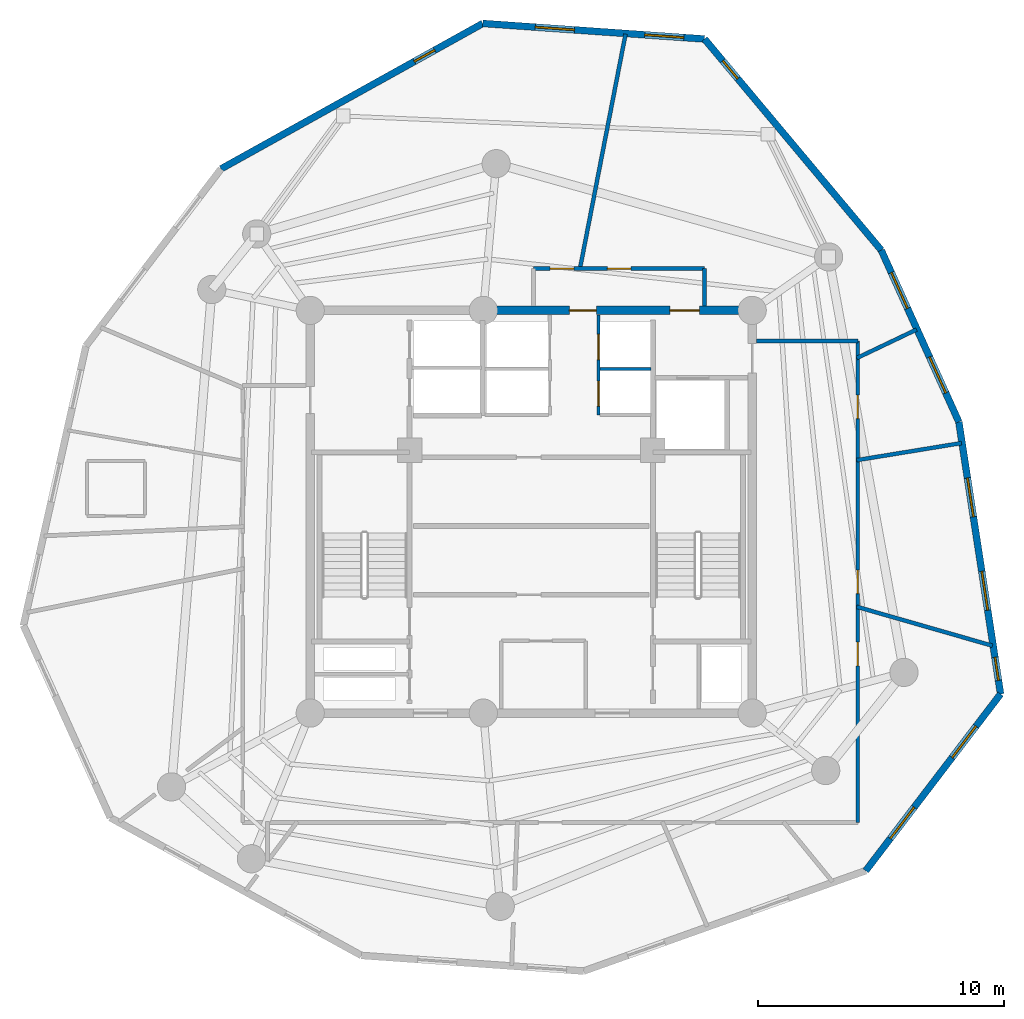
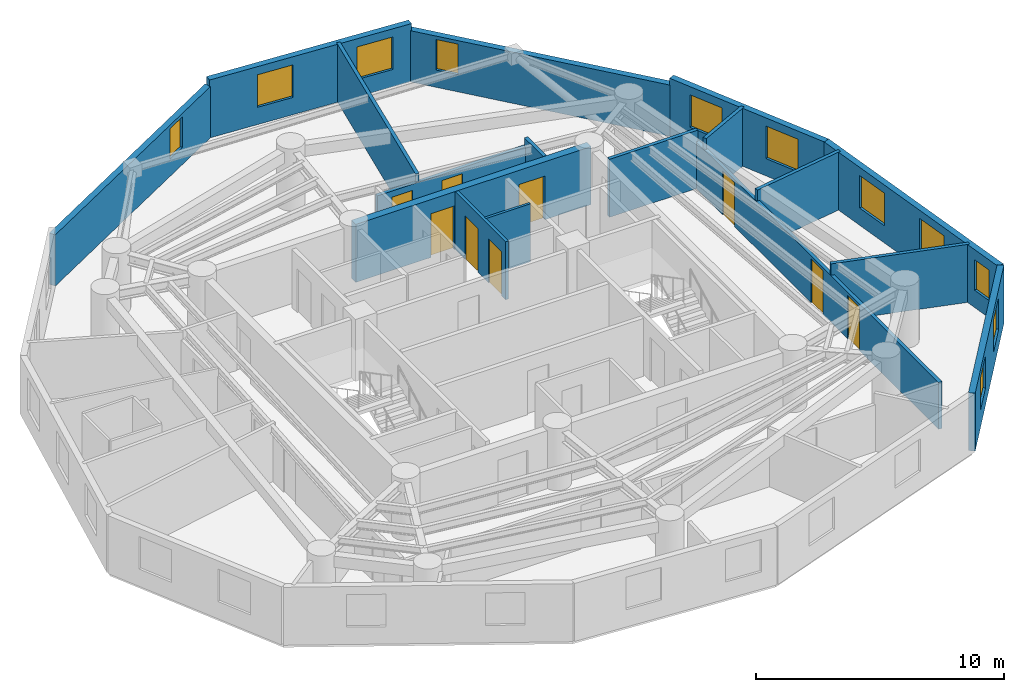
# One storey, part 5 of 7: 17 walls, 11 windows, 9 doors, 20 openings.
"""IFC4 building model written with IfcOpenShell, lengths in metres."""

from ifc_helpers import new_model, si_unit, direction, frame, frame_2d, origin, origin_with_axes, place, context, subcontext, project, spatial, rectangle, extrude, source, transform, mapped, material, layer, layer_set, type_object, element, fill, save


model = new_model("IFC4")

# Units and contexts
model_context = context("Model", 3, precision=1e-05, world=origin(), true_north=direction((0.0, 1.0)))
body_context = subcontext(model_context, "Body", "Model", "MODEL_VIEW")
ifc_project = project(units=[si_unit("LENGTHUNIT", "METRE"), si_unit("AREAUNIT", "SQUARE_METRE"), si_unit("VOLUMEUNIT", "CUBIC_METRE"), si_unit("PLANEANGLEUNIT", "RADIAN"), si_unit("MASSUNIT", "GRAM", prefix="KILO")], contexts=[model_context])

# Site, building, storey
site_placement = place(None, origin())
site = spatial("IfcSite", under=ifc_project, at=site_placement, CompositionType="ELEMENT")
building_placement = place(site_placement, origin())
building = spatial("IfcBuilding", under=site, at=building_placement, Name="Karkom Vertical University and Central Library", CompositionType="ELEMENT")
storey_placement = place(building_placement, frame((0.0, 0.0, 247.39990234375)))
storey = spatial("IfcBuildingStorey", under=building, at=storey_placement, Name="L73", CompositionType="ELEMENT", Elevation=247.39990234375)

# Wall, openings, windows
ifc_material_1 = material(Name="Brick-faced precast concrete C45/55", Category="masonry")
ifc_layer_1 = layer(ifc_material_1, 0.280029296875)
ifc_layer_set_1 = layer_set([ifc_layer_1], Name="Brick-faced precast concrete C45/55")
wall_type_1 = type_object("IfcWallType", Name="ENV-WL-BRK-280", PredefinedType="SOLIDWALL", material=ifc_layer_set_1)
wall_1_placement = place(storey_placement, frame((42.124755859375, 11.876708984375, 0.0), z_axis=(0.0, 0.0, 1.0), x_axis=(0.606631171422, 0.794983409802, 0.0)))
wall_1 = element("IfcWall", 1, at=wall_1_placement, inside=storey, type_object=wall_type_1, Name="Level 73 Brick-Faced Precast Facade Wall 05", PredefinedType="SOLIDWALL", context=body_context, shape_type="SweptSolid", body=[
    extrude(rectangle(XDim=9.05517578125, YDim=0.280029296875, at=frame_2d((4.527587890625, 0.0))), origin(), (0.0, 0.0, 1.0), 2.85009765625),
])
opening_1_placement = place(wall_1_placement, frame((1.65380859375, 0.0, 0.85009765625)))
opening_1 = element("IfcOpeningElement", 2, at=opening_1_placement, cuts=wall_1, Name="Opening WN-10", PredefinedType="OPENING", context=body_context, shape_type="SweptSolid", body=[
    extrude(rectangle(XDim=1.60009765625, YDim=1.60009765625, at=frame_2d((0.800048828125, 0.800048828125))), frame((0.0, 0.14990234375, 0.0), z_axis=(0.0, -1.0, 0.0), x_axis=(1.0, 0.0, 0.0)), (0.0, 0.0, 1.0), 0.300048828125),
])
opening_2_placement = place(wall_1_placement, frame((5.80126953125, 0.0, 0.85009765625)))
opening_2 = element("IfcOpeningElement", 3, at=opening_2_placement, cuts=wall_1, Name="Opening WN-10", PredefinedType="OPENING", context=body_context, shape_type="SweptSolid", body=[
    extrude(rectangle(XDim=1.60009765625, YDim=1.60009765625, at=frame_2d((0.800048828125, 0.800048828125))), frame((0.0, 0.14990234375, 0.0), z_axis=(0.0, -1.0, 0.0), x_axis=(1.0, 0.0, 0.0)), (0.0, 0.0, 1.0), 0.300048828125),
])
ifc_material_2 = material(Name="Aluminium thermal-break frame with solar-control IGU", Category="aluminium")
window_type_1 = type_object("IfcWindowType", Name="ENV-WIN-WN-10", PartitioningType="SINGLE_PANEL", PredefinedType="WINDOW", material=ifc_material_2)
shared_shape_1 = source(origin_with_axes(), body_context, "Body", "SweptSolid", [
    extrude(rectangle(XDim=1.60009765625, YDim=1.60009765625, at=frame_2d((0.800048828125, 0.800048828125))), frame((0.0, 0.030029296875, 0.0), z_axis=(0.0, -1.0, 0.0), x_axis=(1.0, 0.0, 0.0)), (0.0, 0.0, 1.0), 0.06005859375),
])
window_1_placement = place(opening_1_placement, origin())
window_1 = element("IfcWindow", 4, at=window_1_placement, inside=storey, type_object=window_type_1, Name="Level 73 Punched Window 5.1", OverallHeight=1.60009765625, OverallWidth=1.60009765625, PartitioningType="SINGLE_PANEL", PredefinedType="WINDOW", context=body_context, shape_type="MappedRepresentation", body=[
    mapped(shared_shape_1, transform((0.0, 0.0, 0.0), scale=1.0)),
])
fill(opening_1, window_1)
window_2_placement = place(opening_2_placement, origin())
window_2 = element("IfcWindow", 5, at=window_2_placement, inside=storey, type_object=window_type_1, Name="Level 73 Punched Window 5.2", OverallHeight=1.60009765625, OverallWidth=1.60009765625, PartitioningType="SINGLE_PANEL", PredefinedType="WINDOW", context=body_context, shape_type="MappedRepresentation", body=[
    mapped(shared_shape_1, transform((0.0, 0.0, 0.0), scale=1.0)),
])
fill(opening_2, window_2)

wall_2_placement = place(storey_placement, frame((47.617919921875, 19.075439453125, 0.0), z_axis=(0.0, 0.0, 1.0), x_axis=(-0.151571346977, 0.988446319623, 0.0)))
wall_2 = element("IfcWall", 6, at=wall_2_placement, inside=storey, type_object=wall_type_1, Name="Level 73 Brick-Faced Precast Facade Wall 06", PredefinedType="SOLIDWALL", context=body_context, shape_type="SweptSolid", body=[
    extrude(rectangle(XDim=11.215576171875, YDim=0.280029296875, at=frame_2d((5.60791015625, 0.0))), origin(), (0.0, 0.0, 1.0), 2.85009765625),
])
opening_3_placement = place(wall_2_placement, frame((0.56005859375, 0.0, 0.85009765625)))
opening_3 = element("IfcOpeningElement", 7, at=opening_3_placement, cuts=wall_2, Name="Opening WN-12", PredefinedType="OPENING", context=body_context, shape_type="SweptSolid", body=[
    extrude(rectangle(XDim=0.949951171875, YDim=1.5, at=frame_2d((0.47509765625, 0.75))), frame((0.0, 0.14990234375, 0.0), z_axis=(0.0, -1.0, 0.0), x_axis=(1.0, 0.0, 0.0)), (0.0, 0.0, 1.0), 0.300048828125),
])
opening_4_placement = place(wall_2_placement, frame((3.453857421875, 0.0, 0.85009765625)))
opening_4 = element("IfcOpeningElement", 8, at=opening_4_placement, cuts=wall_2, Name="Opening WN-10", PredefinedType="OPENING", context=body_context, shape_type="SweptSolid", body=[
    extrude(rectangle(XDim=1.60009765625, YDim=1.60009765625, at=frame_2d((0.800048828125, 0.800048828125))), frame((0.0, 0.14990234375, 0.0), z_axis=(0.0, -1.0, 0.0), x_axis=(1.0, 0.0, 0.0)), (0.0, 0.0, 1.0), 0.300048828125),
])
opening_5_placement = place(wall_2_placement, frame((7.30126953125, 0.0, 0.85009765625)))
opening_5 = element("IfcOpeningElement", 9, at=opening_5_placement, cuts=wall_2, Name="Opening WN-10", PredefinedType="OPENING", context=body_context, shape_type="SweptSolid", body=[
    extrude(rectangle(XDim=1.60009765625, YDim=1.60009765625, at=frame_2d((0.800048828125, 0.800048828125))), frame((0.0, 0.14990234375, 0.0), z_axis=(0.0, -1.0, 0.0), x_axis=(1.0, 0.0, 0.0)), (0.0, 0.0, 1.0), 0.300048828125),
])
window_type_2 = type_object("IfcWindowType", Name="ENV-WIN-WN-12", PartitioningType="SINGLE_PANEL", PredefinedType="WINDOW", material=ifc_material_2)
shared_shape_2 = source(origin_with_axes(), body_context, "Body", "SweptSolid", [
    extrude(rectangle(XDim=0.949951171875, YDim=1.5, at=frame_2d((0.47509765625, 0.75))), frame((0.0, 0.030029296875, 0.0), z_axis=(0.0, -1.0, 0.0), x_axis=(1.0, 0.0, 0.0)), (0.0, 0.0, 1.0), 0.06005859375),
])
window_3_placement = place(opening_3_placement, origin())
window_3 = element("IfcWindow", 10, at=window_3_placement, inside=storey, type_object=window_type_2, Name="Level 73 Punched Window 6.1", OverallHeight=1.5, OverallWidth=0.949951171875, PartitioningType="SINGLE_PANEL", PredefinedType="WINDOW", context=body_context, shape_type="MappedRepresentation", body=[
    mapped(shared_shape_2, transform((0.0, 0.0, 0.0), scale=1.0)),
])
fill(opening_3, window_3)
window_4_placement = place(opening_4_placement, origin())
window_4 = element("IfcWindow", 11, at=window_4_placement, inside=storey, type_object=window_type_1, Name="Level 73 Punched Window 6.2", OverallHeight=1.60009765625, OverallWidth=1.60009765625, PartitioningType="SINGLE_PANEL", PredefinedType="WINDOW", context=body_context, shape_type="MappedRepresentation", body=[
    mapped(shared_shape_1, transform((0.0, 0.0, 0.0), scale=1.0)),
])
fill(opening_4, window_4)
window_5_placement = place(opening_5_placement, origin())
window_5 = element("IfcWindow", 12, at=window_5_placement, inside=storey, type_object=window_type_1, Name="Level 73 Punched Window 6.3", OverallHeight=1.60009765625, OverallWidth=1.60009765625, PartitioningType="SINGLE_PANEL", PredefinedType="WINDOW", context=body_context, shape_type="MappedRepresentation", body=[
    mapped(shared_shape_1, transform((0.0, 0.0, 0.0), scale=1.0)),
])
fill(opening_5, window_5)

wall_3_placement = place(storey_placement, frame((45.91796875, 30.161376953125, 0.0), z_axis=(0.0, 0.0, 1.0), x_axis=(-0.411810045721, 0.911269711031, 0.0)))
wall_3 = element("IfcWall", 13, at=wall_3_placement, inside=storey, type_object=wall_type_1, Name="Level 73 Brick-Faced Precast Facade Wall 07", PredefinedType="SOLIDWALL", context=body_context, shape_type="SweptSolid", body=[
    extrude(rectangle(XDim=7.673828125, YDim=0.280029296875, at=frame_2d((3.8369140625, 0.0))), origin(), (0.0, 0.0, 1.0), 2.85009765625),
])
opening_6_placement = place(wall_3_placement, frame((1.296875, 0.0, 0.85009765625)))
opening_6 = element("IfcOpeningElement", 14, at=opening_6_placement, cuts=wall_3, Name="Opening WN-10", PredefinedType="OPENING", context=body_context, shape_type="SweptSolid", body=[
    extrude(rectangle(XDim=1.60009765625, YDim=1.60009765625, at=frame_2d((0.800048828125, 0.800048828125))), frame((0.0, 0.14990234375, 0.0), z_axis=(0.0, -1.0, 0.0), x_axis=(1.0, 0.0, 0.0)), (0.0, 0.0, 1.0), 0.300048828125),
])
opening_7_placement = place(wall_3_placement, frame((5.07373046875, 0.0, 0.85009765625)))
opening_7 = element("IfcOpeningElement", 15, at=opening_7_placement, cuts=wall_3, Name="Opening WN-10", PredefinedType="OPENING", context=body_context, shape_type="SweptSolid", body=[
    extrude(rectangle(XDim=1.60009765625, YDim=1.60009765625, at=frame_2d((0.800048828125, 0.800048828125))), frame((0.0, 0.14990234375, 0.0), z_axis=(0.0, -1.0, 0.0), x_axis=(1.0, 0.0, 0.0)), (0.0, 0.0, 1.0), 0.300048828125),
])
window_6_placement = place(opening_6_placement, origin())
window_6 = element("IfcWindow", 16, at=window_6_placement, inside=storey, type_object=window_type_1, Name="Level 73 Punched Window 7.1", OverallHeight=1.60009765625, OverallWidth=1.60009765625, PartitioningType="SINGLE_PANEL", PredefinedType="WINDOW", context=body_context, shape_type="MappedRepresentation", body=[
    mapped(shared_shape_1, transform((0.0, 0.0, 0.0), scale=1.0)),
])
fill(opening_6, window_6)
window_7_placement = place(opening_7_placement, origin())
window_7 = element("IfcWindow", 17, at=window_7_placement, inside=storey, type_object=window_type_1, Name="Level 73 Punched Window 7.2", OverallHeight=1.60009765625, OverallWidth=1.60009765625, PartitioningType="SINGLE_PANEL", PredefinedType="WINDOW", context=body_context, shape_type="MappedRepresentation", body=[
    mapped(shared_shape_1, transform((0.0, 0.0, 0.0), scale=1.0)),
])
fill(opening_7, window_7)

# Wall, opening, window
wall_4_placement = place(storey_placement, frame((42.7578125, 37.154296875, 0.0), z_axis=(0.0, 0.0, 1.0), x_axis=(-0.641748240078, 0.766915377572, 0.0)))
wall_4 = element("IfcWall", 18, at=wall_4_placement, inside=storey, type_object=wall_type_1, Name="Level 73 Brick-Faced Precast Facade Wall 08", PredefinedType="SOLIDWALL", context=body_context, shape_type="SweptSolid", body=[
    extrude(rectangle(XDim=11.215576171875, YDim=0.280029296875, at=frame_2d((5.60791015625, 0.0))), origin(), (0.0, 0.0, 1.0), 2.52001953125),
])
opening_8_placement = place(wall_4_placement, frame((9.107666015625, 0.0, 0.85009765625)))
opening_8 = element("IfcOpeningElement", 19, at=opening_8_placement, cuts=wall_4, Name="Opening WN-12", PredefinedType="OPENING", context=body_context, shape_type="SweptSolid", body=[
    extrude(rectangle(XDim=0.949951171875, YDim=1.5, at=frame_2d((0.47509765625, 0.75))), frame((0.0, 0.14990234375, 0.0), z_axis=(0.0, -1.0, 0.0), x_axis=(1.0, 0.0, 0.0)), (0.0, 0.0, 1.0), 0.300048828125),
])
window_8_placement = place(opening_8_placement, origin())
window_8 = element("IfcWindow", 20, at=window_8_placement, inside=storey, type_object=window_type_2, Name="Level 73 Punched Window 8.1", OverallHeight=1.5, OverallWidth=0.949951171875, PartitioningType="SINGLE_PANEL", PredefinedType="WINDOW", context=body_context, shape_type="MappedRepresentation", body=[
    mapped(shared_shape_2, transform((0.0, 0.0, 0.0), scale=1.0)),
])
fill(opening_8, window_8)

# Wall, openings, windows
wall_5_placement = place(storey_placement, frame((35.560302734375, 45.755615234375, 0.0), z_axis=(0.0, 0.0, 1.0), x_axis=(-0.997549567855, 0.069963273745, 0.0)))
wall_5 = element("IfcWall", 21, at=wall_5_placement, inside=storey, type_object=wall_type_1, Name="Level 73 Brick-Faced Precast Facade Wall 09", PredefinedType="SOLIDWALL", context=body_context, shape_type="SweptSolid", body=[
    extrude(rectangle(XDim=9.055419921875, YDim=0.280029296875, at=frame_2d((4.52783203125, 0.0))), origin(), (0.0, 0.0, 1.0), 2.85009765625),
])
opening_9_placement = place(wall_5_placement, frame((0.84375, 0.0, 0.85009765625)))
opening_9 = element("IfcOpeningElement", 22, at=opening_9_placement, cuts=wall_5, Name="Opening WN-10", PredefinedType="OPENING", context=body_context, shape_type="SweptSolid", body=[
    extrude(rectangle(XDim=1.60009765625, YDim=1.60009765625, at=frame_2d((0.800048828125, 0.800048828125))), frame((0.0, 0.14990234375, 0.0), z_axis=(0.0, -1.0, 0.0), x_axis=(1.0, 0.0, 0.0)), (0.0, 0.0, 1.0), 0.300048828125),
])
opening_10_placement = place(wall_5_placement, frame((5.311279296875, 0.0, 0.85009765625)))
opening_10 = element("IfcOpeningElement", 23, at=opening_10_placement, cuts=wall_5, Name="Opening WN-10", PredefinedType="OPENING", context=body_context, shape_type="SweptSolid", body=[
    extrude(rectangle(XDim=1.60009765625, YDim=1.60009765625, at=frame_2d((0.800048828125, 0.800048828125))), frame((0.0, 0.14990234375, 0.0), z_axis=(0.0, -1.0, 0.0), x_axis=(1.0, 0.0, 0.0)), (0.0, 0.0, 1.0), 0.300048828125),
])
window_9_placement = place(opening_9_placement, origin())
window_9 = element("IfcWindow", 24, at=window_9_placement, inside=storey, type_object=window_type_1, Name="Level 73 Punched Window 9.1", OverallHeight=1.60009765625, OverallWidth=1.60009765625, PartitioningType="SINGLE_PANEL", PredefinedType="WINDOW", context=body_context, shape_type="MappedRepresentation", body=[
    mapped(shared_shape_1, transform((0.0, 0.0, 0.0), scale=1.0)),
])
fill(opening_9, window_9)
window_10_placement = place(opening_10_placement, origin())
window_10 = element("IfcWindow", 25, at=window_10_placement, inside=storey, type_object=window_type_1, Name="Level 73 Punched Window 9.2", OverallHeight=1.60009765625, OverallWidth=1.60009765625, PartitioningType="SINGLE_PANEL", PredefinedType="WINDOW", context=body_context, shape_type="MappedRepresentation", body=[
    mapped(shared_shape_1, transform((0.0, 0.0, 0.0), scale=1.0)),
])
fill(opening_10, window_10)

# Wall, opening, window
wall_6_placement = place(storey_placement, frame((26.527099609375, 46.38916015625, 0.0), z_axis=(0.0, 0.0, 1.0), x_axis=(-0.874208264178, -0.485551141325, 0.0)))
wall_6 = element("IfcWall", 26, at=wall_6_placement, inside=storey, type_object=wall_type_1, Name="Level 73 Brick-Faced Precast Facade Wall 10", PredefinedType="SOLIDWALL", context=body_context, shape_type="SweptSolid", body=[
    extrude(rectangle(XDim=12.195068359375, YDim=0.280029296875, at=frame_2d((6.09765625, 0.0))), origin(), (0.0, 0.0, 1.0), 2.52001953125),
])
opening_11_placement = place(wall_6_placement, frame((2.240234375, 0.0, 0.85009765625)))
opening_11 = element("IfcOpeningElement", 27, at=opening_11_placement, cuts=wall_6, Name="Opening WN-12", PredefinedType="OPENING", context=body_context, shape_type="SweptSolid", body=[
    extrude(rectangle(XDim=0.949951171875, YDim=1.5, at=frame_2d((0.47509765625, 0.75))), frame((0.0, 0.14990234375, 0.0), z_axis=(0.0, -1.0, 0.0), x_axis=(1.0, 0.0, 0.0)), (0.0, 0.0, 1.0), 0.300048828125),
])
window_11_placement = place(opening_11_placement, origin())
window_11 = element("IfcWindow", 28, at=window_11_placement, inside=storey, type_object=window_type_2, Name="Level 73 Punched Window 10.1", OverallHeight=1.5, OverallWidth=0.949951171875, PartitioningType="SINGLE_PANEL", PredefinedType="WINDOW", context=body_context, shape_type="MappedRepresentation", body=[
    mapped(shared_shape_2, transform((0.0, 0.0, 0.0), scale=1.0)),
])
fill(opening_11, window_11)

# Wall, openings, doors
ifc_material_3 = material(Name="Insulated metal-stud drywall 160mm", Category="gypsum")
ifc_layer_2 = layer(ifc_material_3, 0.159912109375)
ifc_layer_set_2 = layer_set([ifc_layer_2], Name="Insulated metal-stud drywall 160mm")
wall_type_2 = type_object("IfcWallType", Name="INT-WL-COR-160", PredefinedType="PARTITIONING", material=ifc_layer_set_2)
wall_7_placement = place(storey_placement, frame((41.800048828125, 33.449951171875, 0.0), z_axis=(0.0, 0.0, 1.0), x_axis=(0.0, -1.0, 0.0)))
wall_7 = element("IfcWall", 29, at=wall_7_placement, inside=storey, type_object=wall_type_2, Name="Level 73 Interior Partition Wall L73-CORW-CW-005", PredefinedType="PARTITIONING", context=body_context, shape_type="SweptSolid", body=[
    extrude(rectangle(XDim=19.599853515625, YDim=0.159912109375, at=frame_2d((9.7998046875, 0.0))), origin(), (0.0, 0.0, 1.0), 2.300048828125),
])
opening_12_placement = place(wall_7_placement, frame((12.264892578125, 0.0, 0.0)))
opening_12 = element("IfcOpeningElement", 30, at=opening_12_placement, cuts=wall_7, Name="Opening FD-RM2", PredefinedType="OPENING", context=body_context, shape_type="SweptSolid", body=[
    extrude(rectangle(XDim=0.9599609375, YDim=2.14990234375, at=frame_2d((0.47998046875, 1.074951171875))), frame((0.0, 0.08984375, 0.0), z_axis=(0.0, -1.0, 0.0), x_axis=(1.0, 0.0, 0.0)), (0.0, 0.0, 1.0), 0.179931640625),
])
opening_13_placement = place(wall_7_placement, frame((9.324951171875, 0.0, 0.0)))
opening_13 = element("IfcOpeningElement", 31, at=opening_13_placement, cuts=wall_7, Name="Opening FD-RM2", PredefinedType="OPENING", context=body_context, shape_type="SweptSolid", body=[
    extrude(rectangle(XDim=0.9599609375, YDim=2.14990234375, at=frame_2d((0.47998046875, 1.074951171875))), frame((0.0, 0.08984375, 0.0), z_axis=(0.0, -1.0, 0.0), x_axis=(1.0, 0.0, 0.0)), (0.0, 0.0, 1.0), 0.179931640625),
])
opening_14_placement = place(wall_7_placement, frame((2.19580078125, 0.0, 0.0)))
opening_14 = element("IfcOpeningElement", 32, at=opening_14_placement, cuts=wall_7, Name="Opening FD-RM2", PredefinedType="OPENING", context=body_context, shape_type="SweptSolid", body=[
    extrude(rectangle(XDim=0.9599609375, YDim=2.14990234375, at=frame_2d((0.47998046875, 1.074951171875))), frame((0.0, 0.08984375, 0.0), z_axis=(0.0, -1.0, 0.0), x_axis=(1.0, 0.0, 0.0)), (0.0, 0.0, 1.0), 0.179931640625),
])
ifc_material_4 = material(Name="Fire-rated oak veneer door", Category="wood")
door_type_1 = type_object("IfcDoorType", Name="INT-DR-FRM2", OperationType="NOTDEFINED", PredefinedType="DOOR", material=ifc_material_4)
shared_shape_3 = source(origin_with_axes(), body_context, "Body", "SweptSolid", [
    extrude(rectangle(XDim=0.9599609375, YDim=2.14990234375, at=frame_2d((0.47998046875, 1.074951171875))), frame((0.0, 0.02490234375, 0.0), z_axis=(0.0, -1.0, 0.0), x_axis=(1.0, 0.0, 0.0)), (0.0, 0.0, 1.0), 0.050048828125),
])
door_1_placement = place(opening_12_placement, origin())
door_1 = element("IfcDoor", 33, at=door_1_placement, inside=storey, type_object=door_type_1, Name="Level 73 Room Entry Door 306", OperationType="SINGLE_SWING_RIGHT", OverallHeight=2.14990234375, OverallWidth=0.9599609375, PredefinedType="DOOR", context=body_context, shape_type="MappedRepresentation", body=[
    mapped(shared_shape_3, transform((0.0, 0.0, 0.0), scale=1.0)),
])
fill(opening_12, door_1)
door_2_placement = place(opening_13_placement, origin())
door_2 = element("IfcDoor", 34, at=door_2_placement, inside=storey, type_object=door_type_1, Name="Level 73 Room Entry Door 307", OperationType="SINGLE_SWING_LEFT", OverallHeight=2.14990234375, OverallWidth=0.9599609375, PredefinedType="DOOR", context=body_context, shape_type="MappedRepresentation", body=[
    mapped(shared_shape_3, transform((0.0, 0.0, 0.0), scale=1.0)),
])
fill(opening_13, door_2)
door_3_placement = place(opening_14_placement, origin())
door_3 = element("IfcDoor", 35, at=door_3_placement, inside=storey, type_object=door_type_1, Name="Level 73 Room Entry Door 308", OperationType="SINGLE_SWING_RIGHT", OverallHeight=2.14990234375, OverallWidth=0.9599609375, PredefinedType="DOOR", context=body_context, shape_type="MappedRepresentation", body=[
    mapped(shared_shape_3, transform((0.0, 0.0, 0.0), scale=1.0)),
])
fill(opening_14, door_3)

# Wall
wall_8_placement = place(storey_placement, frame((30.479736328125, 36.37060546875, 0.0), z_axis=(0.0, 0.0, 1.0), x_axis=(0.190819467859, 0.981625147745, 0.0)))
element("IfcWall", 36, at=wall_8_placement, inside=storey, type_object=wall_type_2, Name="Level 73 Interior Partition Wall L73-PW-015", PredefinedType="PARTITIONING", context=body_context, shape_type="SweptSolid", body=[
    extrude(rectangle(XDim=9.7646484375, YDim=0.159912109375, at=frame_2d((4.88232421875, 0.0))), origin(), (0.0, 0.0, 1.0), 2.85009765625),
])

# Wall, openings, doors
wall_9_placement = place(storey_placement, frame((28.60009765625, 36.39990234375, 0.0), z_axis=(0.0, 0.0, 1.0), x_axis=(1.0, 0.0, 0.0)))
wall_9 = element("IfcWall", 37, at=wall_9_placement, inside=storey, type_object=wall_type_2, Name="Level 73 Interior Partition Wall L73-CORW-CW-007", PredefinedType="PARTITIONING", context=body_context, shape_type="SweptSolid", body=[
    extrude(rectangle(XDim=6.949951171875, YDim=0.159912109375, at=frame_2d((3.47509765625, 0.0))), origin(), (0.0, 0.0, 1.0), 2.4501953125),
])
opening_15_placement = place(wall_9_placement, frame((3.0, 0.0, 0.0)))
opening_15 = element("IfcOpeningElement", 38, at=opening_15_placement, cuts=wall_9, Name="Opening FD-RM2", PredefinedType="OPENING", context=body_context, shape_type="SweptSolid", body=[
    extrude(rectangle(XDim=0.9599609375, YDim=2.14990234375, at=frame_2d((0.47998046875, 1.074951171875))), frame((0.0, 0.08984375, 0.0), z_axis=(0.0, -1.0, 0.0), x_axis=(1.0, 0.0, 0.0)), (0.0, 0.0, 1.0), 0.179931640625),
])
opening_16_placement = place(wall_9_placement, frame((0.672607421875, 0.0, 0.0)))
opening_16 = element("IfcOpeningElement", 39, at=opening_16_placement, cuts=wall_9, Name="Opening FD-RM2", PredefinedType="OPENING", context=body_context, shape_type="SweptSolid", body=[
    extrude(rectangle(XDim=0.9599609375, YDim=2.14990234375, at=frame_2d((0.47998046875, 1.074951171875))), frame((0.0, 0.08984375, 0.0), z_axis=(0.0, -1.0, 0.0), x_axis=(1.0, 0.0, 0.0)), (0.0, 0.0, 1.0), 0.179931640625),
])
door_4_placement = place(opening_15_placement, origin())
door_4 = element("IfcDoor", 40, at=door_4_placement, inside=storey, type_object=door_type_1, Name="Level 73 Room Entry Door 309", OperationType="SINGLE_SWING_LEFT", OverallHeight=2.14990234375, OverallWidth=0.9599609375, PredefinedType="DOOR", context=body_context, shape_type="MappedRepresentation", body=[
    mapped(shared_shape_3, transform((0.0, 0.0, 0.0), scale=1.0)),
])
fill(opening_15, door_4)
door_5_placement = place(opening_16_placement, origin())
door_5 = element("IfcDoor", 41, at=door_5_placement, inside=storey, type_object=door_type_1, Name="Level 73 Room Entry Door 310", OperationType="SINGLE_SWING_RIGHT", OverallHeight=2.14990234375, OverallWidth=0.9599609375, PredefinedType="DOOR", context=body_context, shape_type="MappedRepresentation", body=[
    mapped(shared_shape_3, transform((0.0, 0.0, 0.0), scale=1.0)),
])
fill(opening_16, door_5)

# Walls
wall_10_placement = place(storey_placement, frame((41.7568359375, 22.630615234375, 0.0), z_axis=(0.0, 0.0, 1.0), x_axis=(0.961157882028, -0.275999140968, 0.0)))
element("IfcWall", 42, at=wall_10_placement, inside=storey, type_object=wall_type_2, Name="Level 73 Interior Partition Wall L73-PW-012", PredefinedType="PARTITIONING", context=body_context, shape_type="SweptSolid", body=[
    extrude(rectangle(XDim=5.75146484375, YDim=0.159912109375, at=frame_2d((2.875732421875, 0.0))), origin(), (0.0, 0.0, 1.0), 2.85009765625),
])
wall_11_placement = place(storey_placement, frame((41.755615234375, 28.60107421875, 0.0), z_axis=(0.0, 0.0, 1.0), x_axis=(0.986962900366, 0.160947921084, 0.0)))
element("IfcWall", 43, at=wall_11_placement, inside=storey, type_object=wall_type_2, Name="Level 73 Interior Partition Wall L73-PW-013", PredefinedType="PARTITIONING", context=body_context, shape_type="SweptSolid", body=[
    extrude(rectangle(XDim=4.326171875, YDim=0.159912109375, at=frame_2d((2.1630859375, 0.0))), origin(), (0.0, 0.0, 1.0), 2.85009765625),
])
wall_12_placement = place(storey_placement, frame((37.681884765625, 33.449951171875, 0.0), z_axis=(0.0, 0.0, 1.0), x_axis=(1.0, 0.0, 0.0)))
element("IfcWall", 44, at=wall_12_placement, inside=storey, type_object=wall_type_2, Name="Level 73 Interior Partition Wall L73-CORW-CW-004", PredefinedType="PARTITIONING", context=body_context, shape_type="SweptSolid", body=[
    extrude(rectangle(XDim=4.1181640625, YDim=0.159912109375, at=frame_2d((2.05908203125, 0.0))), origin(), (0.0, 0.0, 1.0), 2.85009765625),
])
wall_13_placement = place(storey_placement, frame((41.759521484375, 32.7578125, 0.0), z_axis=(0.0, 0.0, 1.0), x_axis=(0.902550627162, 0.430583749589, 0.0)))
element("IfcWall", 45, at=wall_13_placement, inside=storey, type_object=wall_type_2, Name="Level 73 Interior Partition Wall L73-PW-014", PredefinedType="PARTITIONING", context=body_context, shape_type="SweptSolid", body=[
    extrude(rectangle(XDim=2.696044921875, YDim=0.159912109375, at=frame_2d((1.34814453125, 0.0))), origin(), (0.0, 0.0, 1.0), 2.85009765625),
])
wall_14_placement = place(storey_placement, frame((35.550048828125, 36.39990234375, 0.0), z_axis=(0.0, 0.0, 1.0), x_axis=(0.0, -1.0, 0.0)))
element("IfcWall", 46, at=wall_14_placement, inside=storey, type_object=wall_type_2, Name="Level 73 Interior Partition Wall L73-CORW-CW-008", PredefinedType="PARTITIONING", context=body_context, shape_type="SweptSolid", body=[
    extrude(rectangle(XDim=1.517822265625, YDim=0.159912109375, at=frame_2d((0.7587890625, 0.0))), origin(), (0.0, 0.0, 1.0), 2.85009765625),
])
ifc_material_5 = material(Name="Moisture-resistant drywall 120mm", Category="gypsum")
ifc_layer_3 = layer(ifc_material_5, 0.1201171875)
ifc_layer_set_3 = layer_set([ifc_layer_3], Name="Moisture-resistant drywall 120mm")
wall_type_3 = type_object("IfcWallType", Name="INT-WL-INT-120H", PredefinedType="PARTITIONING", material=ifc_layer_set_3)
wall_15_placement = place(storey_placement, frame((31.300048828125, 32.320068359375, 0.0), z_axis=(0.0, 0.0, 1.0), x_axis=(1.0, 0.0, 0.0)))
element("IfcWall", 47, at=wall_15_placement, inside=storey, type_object=wall_type_3, Name="Level 73 Interior Partition Wall L73-CW-PH-ME", PredefinedType="PARTITIONING", context=body_context, shape_type="SweptSolid", body=[
    extrude(rectangle(XDim=2.074951171875, YDim=0.1201171875, at=frame_2d((1.03759765625, 0.0))), origin(), (0.0, 0.0, 1.0), 2.85009765625),
])

# Wall, openings, doors
ifc_material_6 = material(Name="Metal-stud gypsum partition 140mm", Category="gypsum")
ifc_layer_4 = layer(ifc_material_6, 0.139892578125)
ifc_layer_set_4 = layer_set([ifc_layer_4], Name="Metal-stud gypsum partition 140mm")
wall_type_4 = type_object("IfcWallType", Name="INT-WL-SUB-140H", PredefinedType="PARTITIONING", material=ifc_layer_set_4)
wall_16_placement = place(storey_placement, frame((31.239990234375, 30.449951171875, 0.0), z_axis=(0.0, 0.0, 1.0), x_axis=(0.0, 1.0, 0.0)))
wall_16 = element("IfcWall", 48, at=wall_16_placement, inside=storey, type_object=wall_type_4, Name="Level 73 Interior Partition Wall L73-CW-PH-E", PredefinedType="PARTITIONING", context=body_context, shape_type="SweptSolid", body=[
    extrude(rectangle(XDim=4.068115234375, YDim=0.139892578125, at=frame_2d((2.0341796875, 0.0))), origin(), (0.0, 0.0, 1.0), 2.85009765625),
])
opening_17_placement = place(wall_16_placement, frame((0.35009765625, 0.0, 0.0)))
opening_17 = element("IfcOpeningElement", 49, at=opening_17_placement, cuts=wall_16, Name="Opening LD-PH", PredefinedType="OPENING", context=body_context, shape_type="SweptSolid", body=[
    extrude(rectangle(XDim=1.02001953125, YDim=2.14990234375, at=frame_2d((0.510009765625, 1.074951171875))), frame((0.0, 0.080078125, 0.0), z_axis=(0.0, -1.0, 0.0), x_axis=(1.0, 0.0, 0.0)), (0.0, 0.0, 1.0), 0.159912109375),
])
opening_18_placement = place(wall_16_placement, frame((2.25, 0.0, 0.0)))
opening_18 = element("IfcOpeningElement", 50, at=opening_18_placement, cuts=wall_16, Name="Opening LD-PH", PredefinedType="OPENING", context=body_context, shape_type="SweptSolid", body=[
    extrude(rectangle(XDim=1.02001953125, YDim=2.14990234375, at=frame_2d((0.510009765625, 1.074951171875))), frame((0.0, 0.080078125, 0.0), z_axis=(0.0, -1.0, 0.0), x_axis=(1.0, 0.0, 0.0)), (0.0, 0.0, 1.0), 0.159912109375),
])
ifc_material_7 = material(Name="Brushed stainless-steel landing door", Category="steel")
door_type_2 = type_object("IfcDoorType", Name="INT-DR-LD-PH", OperationType="SLIDING_TO_LEFT", PredefinedType="DOOR", material=ifc_material_7)
shared_shape_4 = source(origin_with_axes(), body_context, "Body", "SweptSolid", [
    extrude(rectangle(XDim=1.02001953125, YDim=2.14990234375, at=frame_2d((0.510009765625, 1.074951171875))), frame((0.0, 0.02490234375, 0.0), z_axis=(0.0, -1.0, 0.0), x_axis=(1.0, 0.0, 0.0)), (0.0, 0.0, 1.0), 0.050048828125),
])
door_6_placement = place(opening_17_placement, origin())
door_6 = element("IfcDoor", 51, at=door_6_placement, inside=storey, type_object=door_type_2, Name="Level 73 Lift PH-3 Landing Door", OperationType="SLIDING_TO_LEFT", OverallHeight=2.14990234375, OverallWidth=1.02001953125, PredefinedType="DOOR", context=body_context, shape_type="MappedRepresentation", body=[
    mapped(shared_shape_4, transform((0.0, 0.0, 0.0), scale=1.0)),
])
fill(opening_17, door_6)
door_7_placement = place(opening_18_placement, origin())
door_7 = element("IfcDoor", 52, at=door_7_placement, inside=storey, type_object=door_type_2, Name="Level 73 Lift PH-4 Landing Door", OperationType="SLIDING_TO_LEFT", OverallHeight=2.14990234375, OverallWidth=1.02001953125, PredefinedType="DOOR", context=body_context, shape_type="MappedRepresentation", body=[
    mapped(shared_shape_4, transform((0.0, 0.0, 0.0), scale=1.0)),
])
fill(opening_18, door_7)

ifc_material_8 = material(Name="Concrete C45/55", Category="concrete")
ifc_layer_5 = layer(ifc_material_8, 0.35009765625)
ifc_layer_set_5 = layer_set([ifc_layer_5], Name="Concrete C45/55")
wall_type_5 = type_object("IfcWallType", Name="STR-WL-CW-350", PredefinedType="SHEAR", material=ifc_layer_set_5)
wall_17_placement = place(storey_placement, frame((37.5, 34.699951171875, 0.0), z_axis=(0.0, 0.0, 1.0), x_axis=(-1.0, 0.0, 0.0)))
wall_17 = element("IfcWall", 53, at=wall_17_placement, inside=storey, type_object=wall_type_5, Name="Level 73 Central Core Shear Wall NW1", PredefinedType="SHEAR", context=body_context, shape_type="SweptSolid", body=[
    extrude(rectangle(XDim=10.949951171875, YDim=0.35009765625, at=frame_2d((5.47509765625, 0.0))), origin(), (0.0, 0.0, 1.0), 2.85009765625),
])
opening_19_placement = place(wall_17_placement, frame((2.14990234375, 0.0, 0.0)))
opening_19 = element("IfcOpeningElement", 54, at=opening_19_placement, cuts=wall_17, Name="Opening FD-SUB1", PredefinedType="OPENING", context=body_context, shape_type="SweptSolid", body=[
    extrude(rectangle(XDim=1.199951171875, YDim=2.14990234375, at=frame_2d((0.60009765625, 1.074951171875))), frame((0.0, 0.18505859375, 0.0), z_axis=(0.0, -1.0, 0.0), x_axis=(1.0, 0.0, 0.0)), (0.0, 0.0, 1.0), 0.3701171875),
])
opening_20_placement = place(wall_17_placement, frame((6.35009765625, 0.0, 0.0)))
opening_20 = element("IfcOpeningElement", 55, at=opening_20_placement, cuts=wall_17, Name="Opening FD-FFL", PredefinedType="OPENING", context=body_context, shape_type="SweptSolid", body=[
    extrude(rectangle(XDim=1.10009765625, YDim=2.14990234375, at=frame_2d((0.550048828125, 1.074951171875))), frame((0.0, 0.18505859375, 0.0), z_axis=(0.0, -1.0, 0.0), x_axis=(1.0, 0.0, 0.0)), (0.0, 0.0, 1.0), 0.3701171875),
])
ifc_material_9 = material(Name="Painted steel smoke-seal fire door", Category="steel")
door_type_3 = type_object("IfcDoorType", Name="INT-DR-FFL", OperationType="NOTDEFINED", PredefinedType="DOOR", material=ifc_material_9)
shared_shape_5 = source(origin_with_axes(), body_context, "Body", "SweptSolid", [
    extrude(rectangle(XDim=1.10009765625, YDim=2.14990234375, at=frame_2d((0.550048828125, 1.074951171875))), frame((0.0, 0.02490234375, 0.0), z_axis=(0.0, -1.0, 0.0), x_axis=(1.0, 0.0, 0.0)), (0.0, 0.0, 1.0), 0.050048828125),
])
door_8_placement = place(opening_20_placement, origin())
door_8 = element("IfcDoor", 56, at=door_8_placement, inside=storey, type_object=door_type_3, Name="Level 73 North Core Lobby Exit Door", OperationType="SINGLE_SWING_RIGHT", OverallHeight=2.14990234375, OverallWidth=1.10009765625, PredefinedType="DOOR", context=body_context, shape_type="MappedRepresentation", body=[
    mapped(shared_shape_5, transform((0.0, 0.0, 0.0), scale=1.0)),
])
fill(opening_20, door_8)
ifc_material_10 = material(Name="Painted steel fire door", Category="steel")
door_type_4 = type_object("IfcDoorType", Name="INT-DR-SUB1", OperationType="NOTDEFINED", PredefinedType="DOOR", material=ifc_material_10)
shared_shape_6 = source(origin_with_axes(), body_context, "Body", "SweptSolid", [
    extrude(rectangle(XDim=1.199951171875, YDim=2.14990234375, at=frame_2d((0.60009765625, 1.074951171875))), frame((0.0, 0.02490234375, 0.0), z_axis=(0.0, -1.0, 0.0), x_axis=(1.0, 0.0, 0.0)), (0.0, 0.0, 1.0), 0.050048828125),
])
door_9_placement = place(opening_19_placement, origin())
door_9 = element("IfcDoor", 57, at=door_9_placement, inside=storey, type_object=door_type_4, Name="Level 73 Service Lobby Fire Door", OperationType="SINGLE_SWING_LEFT", OverallHeight=2.14990234375, OverallWidth=1.199951171875, PredefinedType="DOOR", context=body_context, shape_type="MappedRepresentation", body=[
    mapped(shared_shape_6, transform((0.0, 0.0, 0.0), scale=1.0)),
])
fill(opening_19, door_9)

save(model, "model.ifc")
